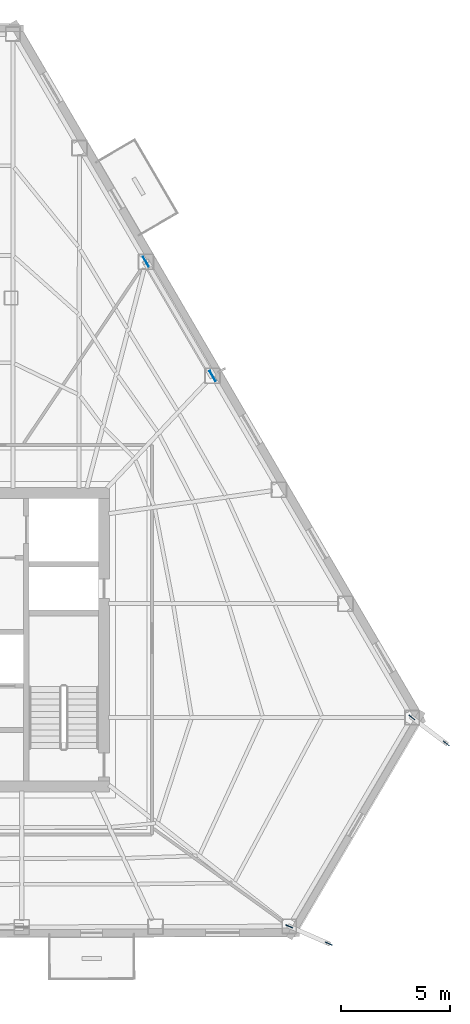
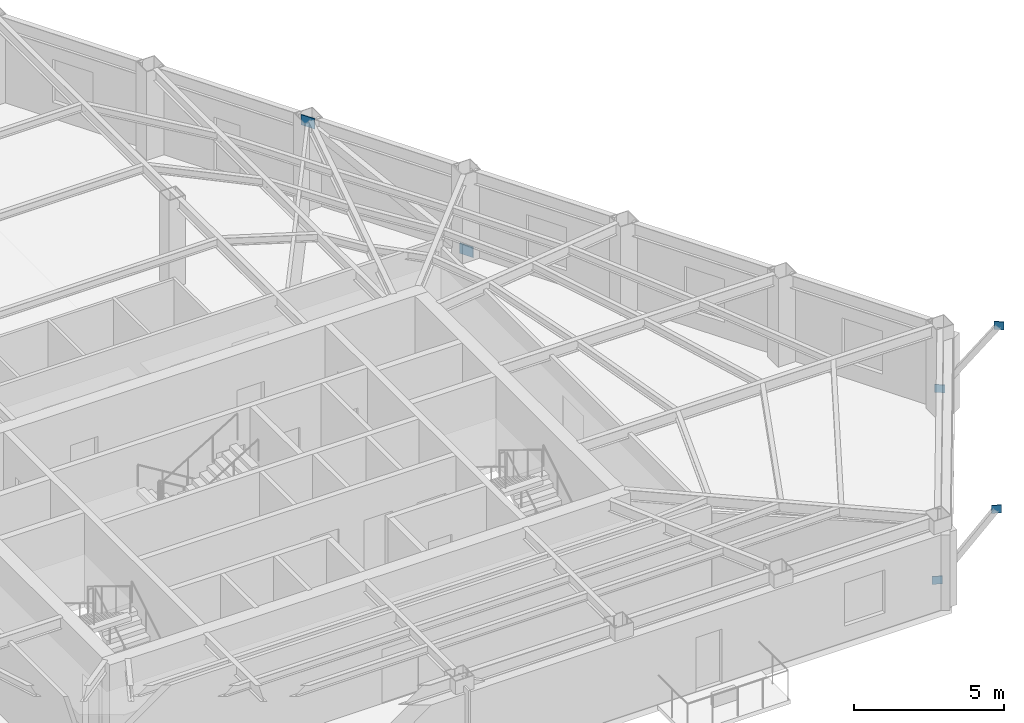
# One storey, part 5 of 10: 6 plates.
"""IFC4 building model written with IfcOpenShell, lengths in metres."""

from ifc_helpers import new_model, si_unit, direction, frame, origin, origin_2d, place, context, subcontext, project, spatial, rectangle, extrude, material, layer, layer_set, type_object, element, save


model = new_model("IFC4")

# Units and contexts
model_context = context("Model", 3, precision=1e-05, world=origin(), true_north=direction((0.0, 1.0)))
body_context = subcontext(model_context, "Body", "Model", "MODEL_VIEW")
ifc_project = project(units=[si_unit("LENGTHUNIT", "METRE"), si_unit("AREAUNIT", "SQUARE_METRE"), si_unit("VOLUMEUNIT", "CUBIC_METRE"), si_unit("PLANEANGLEUNIT", "RADIAN"), si_unit("MASSUNIT", "GRAM", prefix="KILO")], contexts=[model_context])

# Site, building, storey
site_placement = place(None, origin())
site = spatial("IfcSite", under=ifc_project, at=site_placement, CompositionType="ELEMENT")
building_placement = place(site_placement, origin())
building = spatial("IfcBuilding", under=site, at=building_placement, Name="Kavelnor Concourse Tower", CompositionType="ELEMENT")
storey_placement = place(building_placement, frame((0.0, 0.0, 135.550048828125)))
storey = spatial("IfcBuildingStorey", under=building, at=storey_placement, Name="L34", CompositionType="ELEMENT", Elevation=135.550048828125)

# Plates
ifc_material = material(Name="Steel Grade 350", Category="steel")
ifc_layer_1 = layer(ifc_material, 0.028076171875, Name="Steel Grade 350")
ifc_layer_set_1 = layer_set([ifc_layer_1], Name="Steel Grade 350")
plate_type_1 = type_object("IfcPlateType", Name="PL-GUSSET-FOLD", PredefinedType="USERDEFINED", material=ifc_layer_set_1)
for number, where, z_axis, x_axis, name in (
    (1, (56.2705078125, 2.933837890625, 0.73974609375), (0.0, 0.0, 1.0), (0.916502421907, -0.400029137237, 0.0), "L34 Terrace Strut Gusset GP4 C2-A End Gusset A"),
    (2, (58.091552734375, 2.13916015625, 3.47509765625), (0.0, 0.0, 1.0), (0.916502421907, -0.400029137237, 0.0), "L34 Terrace Strut Gusset GP4 C2-A End Gusset B"),
    (3, (61.911376953125, 12.531005859375, 0.73974609375), (0.0, 0.0, 1.0), (0.798530461347, -0.601954402177, 0.0), "L34 Terrace Strut Gusset GP4 C2-B End Gusset A"),
    (4, (63.49560546875, 11.336669921875, 3.47509765625), (0.0, 0.0, 1.0), (0.798530461347, -0.601954402177, 0.0), "L34 Terrace Strut Gusset GP4 C2-B End Gusset B"),
):
    element("IfcPlate", number, at=place(storey_placement, frame(where, z_axis=z_axis, x_axis=x_axis)), inside=storey, type_object=plate_type_1, Name=name, ObjectType="GUSSET_PLATE", PredefinedType="USERDEFINED", context=body_context, shape_type="SweptSolid", body=[
        extrude(rectangle(XDim=0.340087890625, YDim=0.028076171875, at=origin_2d()), origin(), (0.0, 0.0, 1.0), 0.320068359375),
    ])
ifc_layer_2 = layer(ifc_material, 0.031982421875, Name="Steel Grade 350")
ifc_layer_set_2 = layer_set([ifc_layer_2], Name="Steel Grade 350")
plate_type_2 = type_object("IfcPlateType", Name="PL-GUSSET-TUBE-Z1", PredefinedType="USERDEFINED", material=ifc_layer_set_2)
for number, where, z_axis, x_axis, name in (
    (5, (52.7587890625, 28.21826171875, 0.010009765625), (0.0, 0.0, 1.0), (-0.504075481823, 0.863659602288, 0.0), "L34 Tube Brace Gusset GP3 F2-B3 End Gusset A"),
    (6, (49.69091796875, 33.47412109375, 3.12353515625), (0.0, 0.0, 1.0), (-0.504075481823, 0.863659602288, 0.0), "L34 Tube Brace Gusset GP3 F2-B3 End Gusset B"),
):
    element("IfcPlate", number, at=place(storey_placement, frame(where, z_axis=z_axis, x_axis=x_axis)), inside=storey, type_object=plate_type_2, Name=name, ObjectType="GUSSET_PLATE", PredefinedType="USERDEFINED", context=body_context, shape_type="SweptSolid", body=[
        extrude(rectangle(XDim=0.52001953125, YDim=0.031982421875, at=origin_2d()), origin(), (0.0, 0.0, 1.0), 0.419921875),
    ])

save(model, "model.ifc")
